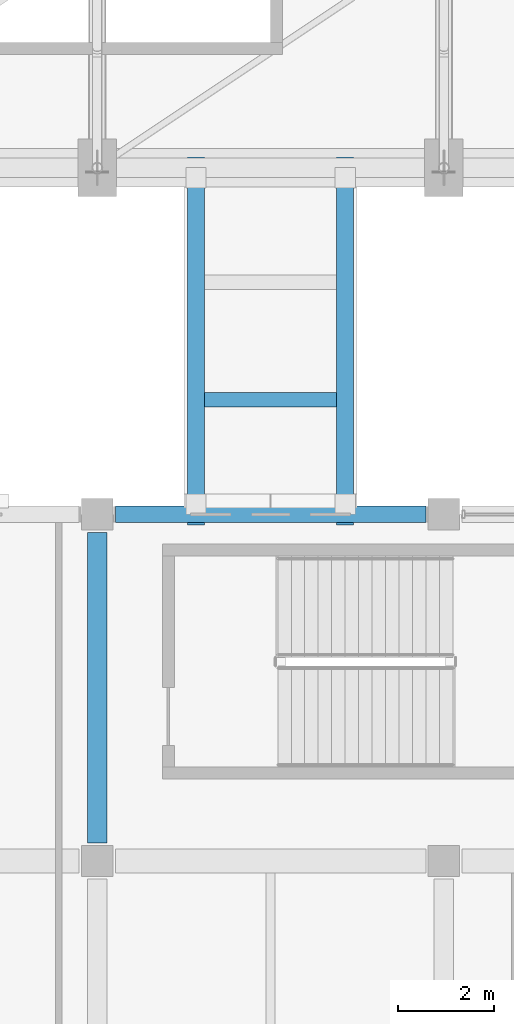
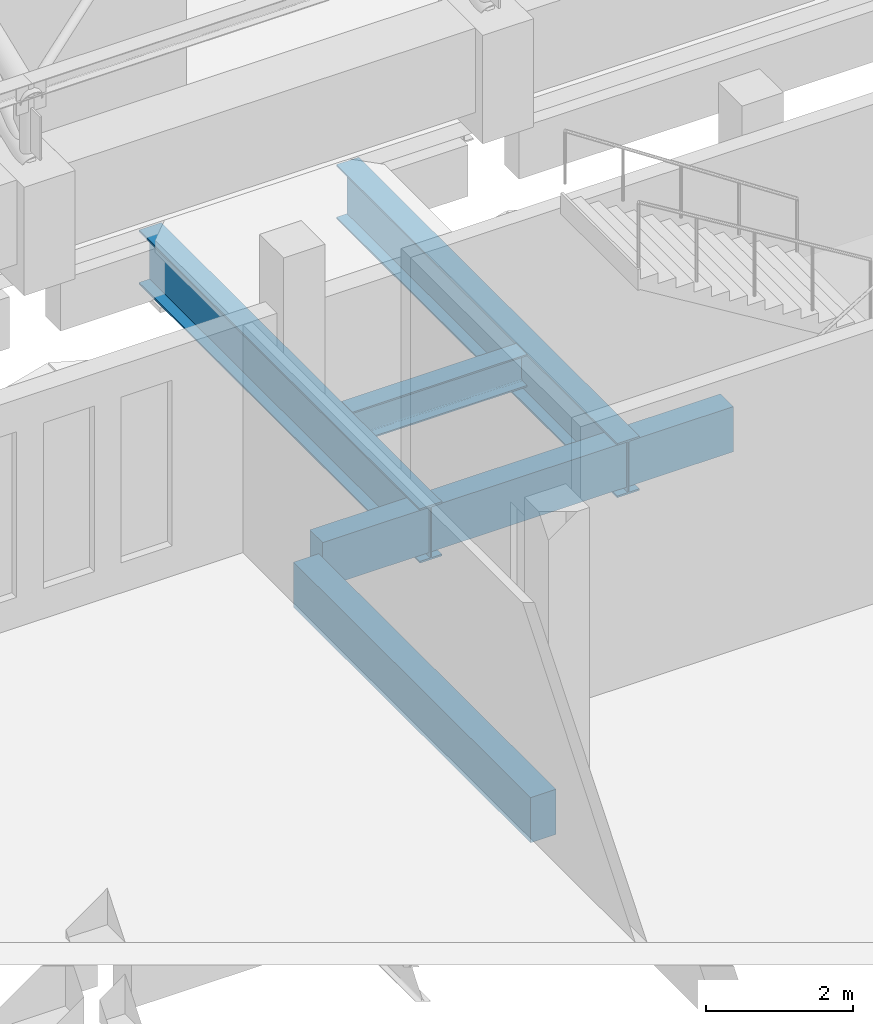
# One storey, part 25 of 116: 5 beams.
"""IFC4 building model written with IfcOpenShell, lengths in metres."""

from ifc_helpers import new_model, si_unit, direction, frame, origin, origin_2d, place, context, subcontext, project, spatial, rectangle, i_section, extrude, material, material_profile, profile_set, type_object, element, save


model = new_model("IFC4")

# Units and contexts
model_context = context("Model", 3, precision=1e-05, world=origin(), true_north=direction((0.0, 1.0)))
body_context = subcontext(model_context, "Body", "Model", "MODEL_VIEW")
ifc_project = project(units=[si_unit("LENGTHUNIT", "METRE"), si_unit("AREAUNIT", "SQUARE_METRE"), si_unit("VOLUMEUNIT", "CUBIC_METRE"), si_unit("PLANEANGLEUNIT", "RADIAN"), si_unit("MASSUNIT", "GRAM", prefix="KILO")], contexts=[model_context])

# Site, building, storey
site_placement = place(None, origin())
site = spatial("IfcSite", under=ifc_project, at=site_placement, CompositionType="ELEMENT")
building_placement = place(site_placement, origin())
building = spatial("IfcBuilding", under=site, at=building_placement, Name="Cendralis Lancet Convention Centre", CompositionType="ELEMENT")
storey_placement = place(building_placement, frame((0.0, 0.0, 15.0)))
storey = spatial("IfcBuildingStorey", under=building, at=storey_placement, Name="L03", CompositionType="ELEMENT", Elevation=15.0)

# Beams
ifc_material_1 = material(Name="Concrete G35 (C35/45)", Category="concrete")
ifc_material_profile_1 = material_profile(ifc_material_1, rectangle(XDim=0.39990234375, YDim=0.75, at=origin_2d()), Name="RCB 400x750")
ifc_profile_set_1 = profile_set([ifc_material_profile_1], Name="Concrete G35 (C35/45)")
beam_type_1 = type_object("IfcBeamType", Name="STR-BM-BG12", PredefinedType="BEAM", material=ifc_profile_set_1)
beam_1_placement = place(storey_placement, frame((146.39990234375, 29.175048828125, -0.635009765625), z_axis=(0.0, 1.0, 0.0), x_axis=(-1.0, 0.0, 0.0)))
element("IfcBeam", 1, at=beam_1_placement, inside=storey, type_object=beam_type_1, Name="L03 Beam BG12 #0440", PredefinedType="BEAM", context=body_context, shape_type="SweptSolid", body=[
    extrude(rectangle(XDim=0.39990234375, YDim=0.75, at=origin_2d()), origin(), (0.0, 0.0, 1.0), 6.449951171875),
])
ifc_material_2 = material(Name="Steel S355", Category="steel")
ifc_material_profile_2 = material_profile(ifc_material_2, i_section(OverallWidth=0.35009765625, OverallDepth=0.89990234375, WebThickness=0.01611328125, FlangeThickness=0.028076171875, at=origin_2d()), Name="PG 900x350")
ifc_profile_set_2 = profile_set([ifc_material_profile_2], Name="Steel S355")
beam_type_2 = type_object("IfcBeamType", Name="STR-BM-SG05", PredefinedType="BEAM", material=ifc_profile_set_2)
for number, where, z_axis, x_axis, name in (
    (2, (148.449951171875, 35.780029296875, -0.64990234375), (0.0, 1.0, 0.0), (-1.0, 0.0, 0.0), "L03 Beam SG05 #1940"),
    (3, (151.550048828125, 35.780029296875, -0.64990234375), (0.0, 1.0, 0.0), (-1.0, 0.0, 0.0), "L03 Beam SG05 #1941"),
):
    element("IfcBeam", number, at=place(storey_placement, frame(where, z_axis=z_axis, x_axis=x_axis)), inside=storey, type_object=beam_type_2, Name=name, PredefinedType="BEAM", context=body_context, shape_type="SweptSolid", body=[
        extrude(i_section(OverallWidth=0.35009765625, OverallDepth=0.89990234375, WebThickness=0.01611328125, FlangeThickness=0.028076171875, at=origin_2d()), origin(), (0.0, 0.0, 1.0), 7.639892578125),
    ])
ifc_material_profile_3 = material_profile(ifc_material_2, i_section(OverallWidth=0.300048828125, OverallDepth=0.5400390625, WebThickness=0.012451171875, FlangeThickness=0.02392578125, FilletRadius=0.027099609375, at=origin_2d()), Name="HEA 550")
ifc_profile_set_3 = profile_set([ifc_material_profile_3], Name="Steel S355")
beam_type_3 = type_object("IfcBeamType", Name="STR-BM-SG11", PredefinedType="BEAM", material=ifc_profile_set_3)
beam_2_placement = place(storey_placement, frame((148.6298828125, 38.3759765625, -0.469970703125), z_axis=(1.0, 0.0, 0.0), x_axis=(0.0, 1.0, 0.0)))
element("IfcBeam", 4, at=beam_2_placement, inside=storey, type_object=beam_type_3, Name="L03 Beam SG11 #1942", PredefinedType="BEAM", context=body_context, shape_type="SweptSolid", body=[
    extrude(i_section(OverallWidth=0.300048828125, OverallDepth=0.5400390625, WebThickness=0.012451171875, FlangeThickness=0.02392578125, FilletRadius=0.027099609375, at=origin_2d()), origin(), (0.0, 0.0, 1.0), 2.740234375),
])
ifc_material_3 = material(Name="Concrete G40 (C40/50)", Category="concrete")
ifc_material_profile_4 = material_profile(ifc_material_3, rectangle(XDim=0.35009765625, YDim=0.75, at=origin_2d()), Name="RCB 350x750")
ifc_profile_set_4 = profile_set([ifc_material_profile_4], Name="Concrete G40 (C40/50)")
beam_type_4 = type_object("IfcBeamType", Name="STR-SP-SP01", PredefinedType="SPANDREL", material=ifc_profile_set_4)
beam_3_placement = place(storey_placement, frame((146.77490234375, 36.0, -0.635009765625), z_axis=(1.0, 0.0, 0.0), x_axis=(0.0, 1.0, 0.0)))
element("IfcBeam", 5, at=beam_3_placement, inside=storey, type_object=beam_type_4, Name="L03 Beam SP01 #0421", PredefinedType="SPANDREL", context=body_context, shape_type="SweptSolid", body=[
    extrude(rectangle(XDim=0.35009765625, YDim=0.75, at=origin_2d()), origin(), (0.0, 0.0, 1.0), 6.4501953125),
])

save(model, "model.ifc")
